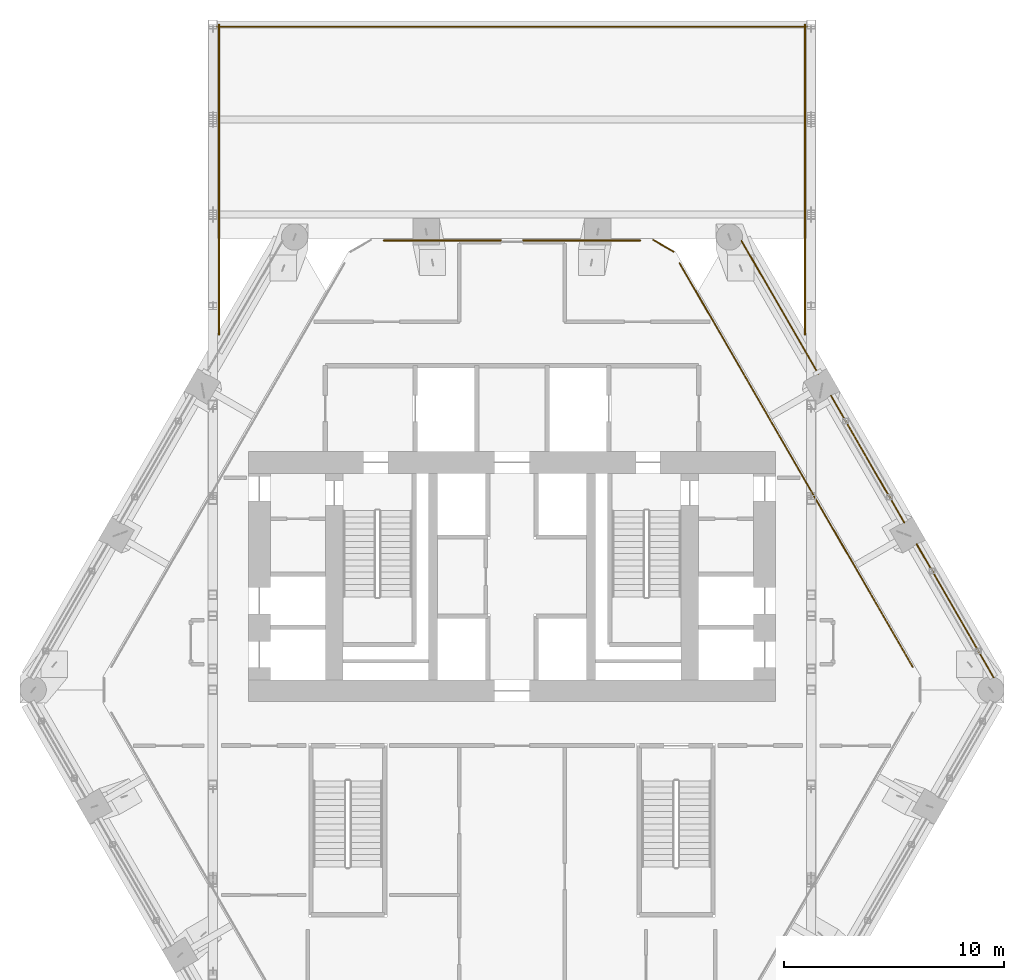
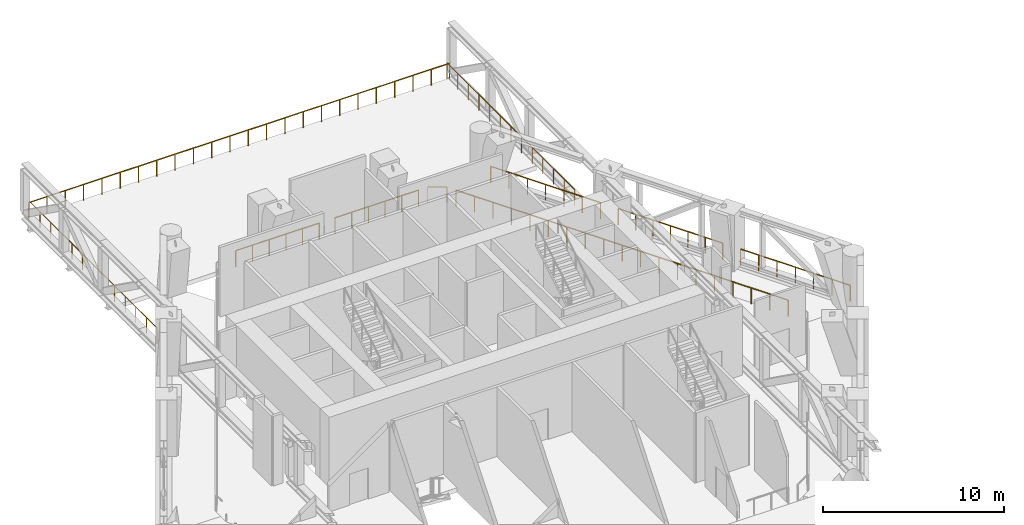
# One storey, part 22 of 22: 10 railings.
"""IFC4 building model written with IfcOpenShell, lengths in metres."""

from ifc_helpers import new_model, si_unit, direction, frame, origin, origin_2d, place, context, subcontext, project, spatial, circle, extrude, material, type_object, element, save


model = new_model("IFC4")

# Units and contexts
model_context = context("Model", 3, precision=1e-05, world=origin(), true_north=direction((0.0, 1.0)))
body_context = subcontext(model_context, "Body", "Model", "MODEL_VIEW")
ifc_project = project(units=[si_unit("LENGTHUNIT", "METRE"), si_unit("AREAUNIT", "SQUARE_METRE"), si_unit("VOLUMEUNIT", "CUBIC_METRE"), si_unit("PLANEANGLEUNIT", "RADIAN"), si_unit("MASSUNIT", "GRAM", prefix="KILO")], contexts=[model_context])

# Site, building, storey
site_placement = place(None, origin())
site = spatial("IfcSite", under=ifc_project, at=site_placement, CompositionType="ELEMENT")
building_placement = place(site_placement, origin())
building = spatial("IfcBuilding", under=site, at=building_placement, Name="Ostrander Bayou Hotel Tower", CompositionType="ELEMENT")
storey_placement = place(building_placement, frame((0.0, 0.0, 146.0)))
storey = spatial("IfcBuildingStorey", under=building, at=storey_placement, Name="L36", CompositionType="ELEMENT", Elevation=146.0)

# Railings
ifc_material = material(Name="Stainless steel and clear glass", Category="steel")
railing_type = type_object("IfcRailingType", Name="GR1 guard 1100 mm", PredefinedType="GUARDRAIL", material=ifc_material)
railing_1_placement = place(storey_placement, frame((21.927734375, -0.593017578125, 0.0)))
element("IfcRailing", 1, at=railing_1_placement, inside=storey, type_object=railing_type, Name="GR1 L36 NE-1 open band guard", PredefinedType="GUARDRAIL", context=body_context, shape_type="SweptSolid", body=[
    extrude(circle(Radius=0.02490234375, at=origin_2d()), frame((0.0, 0.0, 1.0751953125), z_axis=(-0.499991127072, 0.866030526511, 0.0), x_axis=(-0.866030526511, -0.499991127072, 0.0)), (0.0, 0.0, 1.0), 7.000732421875),
    extrude(circle(Radius=0.02001953125, at=origin_2d()), origin(), (0.0, 0.0, 1.0), 1.050048828125),
    extrude(circle(Radius=0.02001953125, at=origin_2d()), frame((-0.58349609375, 1.010498046875, 0.0)), (0.0, 0.0, 1.0), 1.050048828125),
    extrude(circle(Radius=0.02001953125, at=origin_2d()), frame((-1.166748046875, 2.02099609375, 0.0)), (0.0, 0.0, 1.0), 1.050048828125),
    extrude(circle(Radius=0.02001953125, at=origin_2d()), frame((-1.75, 3.03125, 0.0)), (0.0, 0.0, 1.0), 1.050048828125),
    extrude(circle(Radius=0.02001953125, at=origin_2d()), frame((-2.33349609375, 4.041748046875, 0.0)), (0.0, 0.0, 1.0), 1.050048828125),
    extrude(circle(Radius=0.02001953125, at=origin_2d()), frame((-2.9169921875, 5.05224609375, 0.0)), (0.0, 0.0, 1.0), 1.050048828125),
    extrude(circle(Radius=0.02001953125, at=origin_2d()), frame((-3.500244140625, 6.062744140625, 0.0)), (0.0, 0.0, 1.0), 1.050048828125),
])
railing_2_placement = place(storey_placement, frame((17.857421875, 6.45703125, 0.0)))
element("IfcRailing", 2, at=railing_2_placement, inside=storey, type_object=railing_type, Name="GR1 L36 NE-2 open band guard", PredefinedType="GUARDRAIL", context=body_context, shape_type="SweptSolid", body=[
    extrude(circle(Radius=0.02490234375, at=origin_2d()), frame((0.0, 0.0, 1.0751953125), z_axis=(-0.499983182885, 0.866035112932, 0.0), x_axis=(-0.866035112932, -0.499983182885, 0.0)), (0.0, 0.0, 1.0), 6.673583984375),
    extrude(circle(Radius=0.02001953125, at=origin_2d()), origin(), (0.0, 0.0, 1.0), 1.050048828125),
    extrude(circle(Radius=0.02001953125, at=origin_2d()), frame((-0.55615234375, 0.96337890625, 0.0)), (0.0, 0.0, 1.0), 1.050048828125),
    extrude(circle(Radius=0.02001953125, at=origin_2d()), frame((-1.1123046875, 1.926513671875, 0.0)), (0.0, 0.0, 1.0), 1.050048828125),
    extrude(circle(Radius=0.02001953125, at=origin_2d()), frame((-1.66845703125, 2.8896484375, 0.0)), (0.0, 0.0, 1.0), 1.050048828125),
    extrude(circle(Radius=0.02001953125, at=origin_2d()), frame((-2.224365234375, 3.85302734375, 0.0)), (0.0, 0.0, 1.0), 1.050048828125),
    extrude(circle(Radius=0.02001953125, at=origin_2d()), frame((-2.780517578125, 4.81640625, 0.0)), (0.0, 0.0, 1.0), 1.050048828125),
    extrude(circle(Radius=0.02001953125, at=origin_2d()), frame((-3.336669921875, 5.779541015625, 0.0)), (0.0, 0.0, 1.0), 1.050048828125),
])
railing_3_placement = place(storey_placement, frame((13.95068359375, 13.2236328125, 0.0)))
element("IfcRailing", 3, at=railing_3_placement, inside=storey, type_object=railing_type, Name="GR1 L36 NE-3 open band guard", PredefinedType="GUARDRAIL", context=body_context, shape_type="SweptSolid", body=[
    extrude(circle(Radius=0.02490234375, at=origin_2d()), frame((0.0, 0.0, 1.0751953125), z_axis=(-0.499991127072, 0.866030526511, 0.0), x_axis=(-0.866030526511, -0.499991127072, 0.0)), (0.0, 0.0, 1.0), 7.000732421875),
    extrude(circle(Radius=0.02001953125, at=origin_2d()), origin(), (0.0, 0.0, 1.0), 1.050048828125),
    extrude(circle(Radius=0.02001953125, at=origin_2d()), frame((-0.58349609375, 1.010498046875, 0.0)), (0.0, 0.0, 1.0), 1.050048828125),
    extrude(circle(Radius=0.02001953125, at=origin_2d()), frame((-1.166748046875, 2.02099609375, 0.0)), (0.0, 0.0, 1.0), 1.050048828125),
    extrude(circle(Radius=0.02001953125, at=origin_2d()), frame((-1.75, 3.03125, 0.0)), (0.0, 0.0, 1.0), 1.050048828125),
    extrude(circle(Radius=0.02001953125, at=origin_2d()), frame((-2.33349609375, 4.041748046875, 0.0)), (0.0, 0.0, 1.0), 1.050048828125),
    extrude(circle(Radius=0.02001953125, at=origin_2d()), frame((-2.9169921875, 5.05224609375, 0.0)), (0.0, 0.0, 1.0), 1.050048828125),
    extrude(circle(Radius=0.02001953125, at=origin_2d()), frame((-3.500244140625, 6.062744140625, 0.0)), (0.0, 0.0, 1.0), 1.050048828125),
])
railing_4_placement = place(storey_placement, frame((7.358154296875, 18.79248046875, 0.0)))
element("IfcRailing", 4, at=railing_4_placement, inside=storey, type_object=railing_type, Name="GR1 L36 corner guard 6", PredefinedType="GUARDRAIL", context=body_context, shape_type="SweptSolid", body=[
    extrude(circle(Radius=0.02490234375, at=origin_2d()), frame((0.0, 0.0, 1.0751953125), z_axis=(-0.866048165231, 0.499960573946, 0.0), x_axis=(-0.499960573946, -0.866048165231, 0.0)), (0.0, 0.0, 1.0), 1.06494140625),
    extrude(circle(Radius=0.02001953125, at=origin_2d()), origin(), (0.0, 0.0, 1.0), 1.050048828125),
    extrude(circle(Radius=0.02001953125, at=origin_2d()), frame((-0.92236328125, 0.532470703125, 0.0)), (0.0, 0.0, 1.0), 1.050048828125),
])
railing_5_placement = place(storey_placement, frame((7.635986328125, 18.26123046875, 0.0)))
element("IfcRailing", 5, at=railing_5_placement, inside=storey, type_object=railing_type, Name="GR1 L36 edge guard 2", PredefinedType="GUARDRAIL", context=body_context, shape_type="SweptSolid", body=[
    extrude(circle(Radius=0.02490234375, at=origin_2d()), frame((0.0, 0.0, 1.0751953125), z_axis=(0.499995637572, -0.866027922419, 0.0), x_axis=(0.866027922419, 0.499995637572, 0.0)), (0.0, 0.0, 1.0), 21.222412109375),
    extrude(circle(Radius=0.02001953125, at=origin_2d()), origin(), (0.0, 0.0, 1.0), 1.050048828125),
    extrude(circle(Radius=0.02001953125, at=origin_2d()), frame((0.589599609375, -1.02099609375, 0.0)), (0.0, 0.0, 1.0), 1.050048828125),
    extrude(circle(Radius=0.02001953125, at=origin_2d()), frame((1.178955078125, -2.042236328125, 0.0)), (0.0, 0.0, 1.0), 1.050048828125),
    extrude(circle(Radius=0.02001953125, at=origin_2d()), frame((1.7685546875, -3.063232421875, 0.0)), (0.0, 0.0, 1.0), 1.050048828125),
    extrude(circle(Radius=0.02001953125, at=origin_2d()), frame((2.35791015625, -4.084228515625, 0.0)), (0.0, 0.0, 1.0), 1.050048828125),
    extrude(circle(Radius=0.02001953125, at=origin_2d()), frame((2.947509765625, -5.105224609375, 0.0)), (0.0, 0.0, 1.0), 1.050048828125),
    extrude(circle(Radius=0.02001953125, at=origin_2d()), frame((3.537109375, -6.12646484375, 0.0)), (0.0, 0.0, 1.0), 1.050048828125),
    extrude(circle(Radius=0.02001953125, at=origin_2d()), frame((4.12646484375, -7.1474609375, 0.0)), (0.0, 0.0, 1.0), 1.050048828125),
    extrude(circle(Radius=0.02001953125, at=origin_2d()), frame((4.716064453125, -8.16845703125, 0.0)), (0.0, 0.0, 1.0), 1.050048828125),
    extrude(circle(Radius=0.02001953125, at=origin_2d()), frame((5.3056640625, -9.189453125, 0.0)), (0.0, 0.0, 1.0), 1.050048828125),
    extrude(circle(Radius=0.02001953125, at=origin_2d()), frame((5.89501953125, -10.210693359375, 0.0)), (0.0, 0.0, 1.0), 1.050048828125),
    extrude(circle(Radius=0.02001953125, at=origin_2d()), frame((6.484619140625, -11.231689453125, 0.0)), (0.0, 0.0, 1.0), 1.050048828125),
    extrude(circle(Radius=0.02001953125, at=origin_2d()), frame((7.073974609375, -12.252685546875, 0.0)), (0.0, 0.0, 1.0), 1.050048828125),
    extrude(circle(Radius=0.02001953125, at=origin_2d()), frame((7.66357421875, -13.27392578125, 0.0)), (0.0, 0.0, 1.0), 1.050048828125),
    extrude(circle(Radius=0.02001953125, at=origin_2d()), frame((8.253173828125, -14.294921875, 0.0)), (0.0, 0.0, 1.0), 1.050048828125),
    extrude(circle(Radius=0.02001953125, at=origin_2d()), frame((8.842529296875, -15.31591796875, 0.0)), (0.0, 0.0, 1.0), 1.050048828125),
    extrude(circle(Radius=0.02001953125, at=origin_2d()), frame((9.43212890625, -16.3369140625, 0.0)), (0.0, 0.0, 1.0), 1.050048828125),
    extrude(circle(Radius=0.02001953125, at=origin_2d()), frame((10.021484375, -17.358154296875, 0.0)), (0.0, 0.0, 1.0), 1.050048828125),
    extrude(circle(Radius=0.02001953125, at=origin_2d()), frame((10.611083984375, -18.379150390625, 0.0)), (0.0, 0.0, 1.0), 1.050048828125),
])
railing_6_placement = place(storey_placement, frame((-13.34228515625, 29.13720703125, 0.0)))
element("IfcRailing", 6, at=railing_6_placement, inside=storey, type_object=railing_type, Name="GR1 bar roof guard SB3 4", PredefinedType="GUARDRAIL", context=body_context, shape_type="SweptSolid", body=[
    extrude(circle(Radius=0.02490234375, at=origin_2d()), frame((0.0, 0.0, 1.0751953125), z_axis=(0.0, -1.0, 0.0), x_axis=(1.0, 0.0, 0.0)), (0.0, 0.0, 1.0), 14.1328125),
    extrude(circle(Radius=0.02001953125, at=origin_2d()), origin(), (0.0, 0.0, 1.0), 1.050048828125),
    extrude(circle(Radius=0.02001953125, at=origin_2d()), frame((0.0, -1.177734375, 0.0)), (0.0, 0.0, 1.0), 1.050048828125),
    extrude(circle(Radius=0.02001953125, at=origin_2d()), frame((0.0, -2.35546875, 0.0)), (0.0, 0.0, 1.0), 1.050048828125),
    extrude(circle(Radius=0.02001953125, at=origin_2d()), frame((0.0, -3.533203125, 0.0)), (0.0, 0.0, 1.0), 1.050048828125),
    extrude(circle(Radius=0.02001953125, at=origin_2d()), frame((0.0, -4.7109375, 0.0)), (0.0, 0.0, 1.0), 1.050048828125),
    extrude(circle(Radius=0.02001953125, at=origin_2d()), frame((0.0, -5.888671875, 0.0)), (0.0, 0.0, 1.0), 1.050048828125),
    extrude(circle(Radius=0.02001953125, at=origin_2d()), frame((0.0, -7.06640625, 0.0)), (0.0, 0.0, 1.0), 1.050048828125),
    extrude(circle(Radius=0.02001953125, at=origin_2d()), frame((0.0, -8.244140625, 0.0)), (0.0, 0.0, 1.0), 1.050048828125),
    extrude(circle(Radius=0.02001953125, at=origin_2d()), frame((0.0, -9.421875, 0.0)), (0.0, 0.0, 1.0), 1.050048828125),
    extrude(circle(Radius=0.02001953125, at=origin_2d()), frame((0.0, -10.599609375, 0.0)), (0.0, 0.0, 1.0), 1.050048828125),
    extrude(circle(Radius=0.02001953125, at=origin_2d()), frame((0.0, -11.77734375, 0.0)), (0.0, 0.0, 1.0), 1.050048828125),
    extrude(circle(Radius=0.02001953125, at=origin_2d()), frame((0.0, -12.955078125, 0.0)), (0.0, 0.0, 1.0), 1.050048828125),
    extrude(circle(Radius=0.02001953125, at=origin_2d()), frame((0.0, -14.1328125, 0.0)), (0.0, 0.0, 1.0), 1.050048828125),
])
railing_7_placement = place(storey_placement, frame((13.34228515625, 15.00439453125, 0.0)))
element("IfcRailing", 7, at=railing_7_placement, inside=storey, type_object=railing_type, Name="GR1 bar roof guard SB3 5", PredefinedType="GUARDRAIL", context=body_context, shape_type="SweptSolid", body=[
    extrude(circle(Radius=0.02490234375, at=origin_2d()), frame((0.0, 0.0, 1.0751953125), z_axis=(0.0, 1.0, 0.0), x_axis=(-1.0, 0.0, 0.0)), (0.0, 0.0, 1.0), 14.1328125),
    extrude(circle(Radius=0.02001953125, at=origin_2d()), origin(), (0.0, 0.0, 1.0), 1.050048828125),
    extrude(circle(Radius=0.02001953125, at=origin_2d()), frame((0.0, 1.177734375, 0.0)), (0.0, 0.0, 1.0), 1.050048828125),
    extrude(circle(Radius=0.02001953125, at=origin_2d()), frame((0.0, 2.35546875, 0.0)), (0.0, 0.0, 1.0), 1.050048828125),
    extrude(circle(Radius=0.02001953125, at=origin_2d()), frame((0.0, 3.533203125, 0.0)), (0.0, 0.0, 1.0), 1.050048828125),
    extrude(circle(Radius=0.02001953125, at=origin_2d()), frame((0.0, 4.7109375, 0.0)), (0.0, 0.0, 1.0), 1.050048828125),
    extrude(circle(Radius=0.02001953125, at=origin_2d()), frame((0.0, 5.888671875, 0.0)), (0.0, 0.0, 1.0), 1.050048828125),
    extrude(circle(Radius=0.02001953125, at=origin_2d()), frame((0.0, 7.06640625, 0.0)), (0.0, 0.0, 1.0), 1.050048828125),
    extrude(circle(Radius=0.02001953125, at=origin_2d()), frame((0.0, 8.244140625, 0.0)), (0.0, 0.0, 1.0), 1.050048828125),
    extrude(circle(Radius=0.02001953125, at=origin_2d()), frame((0.0, 9.421875, 0.0)), (0.0, 0.0, 1.0), 1.050048828125),
    extrude(circle(Radius=0.02001953125, at=origin_2d()), frame((0.0, 10.599609375, 0.0)), (0.0, 0.0, 1.0), 1.050048828125),
    extrude(circle(Radius=0.02001953125, at=origin_2d()), frame((0.0, 11.77734375, 0.0)), (0.0, 0.0, 1.0), 1.050048828125),
    extrude(circle(Radius=0.02001953125, at=origin_2d()), frame((0.0, 12.955078125, 0.0)), (0.0, 0.0, 1.0), 1.050048828125),
    extrude(circle(Radius=0.02001953125, at=origin_2d()), frame((0.0, 14.1328125, 0.0)), (0.0, 0.0, 1.0), 1.050048828125),
])
railing_8_placement = place(storey_placement, frame((13.442138671875, 29.037109375, 0.0)))
element("IfcRailing", 8, at=railing_8_placement, inside=storey, type_object=railing_type, Name="GR1 bar roof guard SB3 6", PredefinedType="GUARDRAIL", context=body_context, shape_type="SweptSolid", body=[
    extrude(circle(Radius=0.02490234375, at=origin_2d()), frame((0.0, 0.0, 1.0751953125), z_axis=(-1.0, 0.0, 0.0), x_axis=(0.0, -1.0, 0.0)), (0.0, 0.0, 1.0), 26.88427734375),
    extrude(circle(Radius=0.02001953125, at=origin_2d()), origin(), (0.0, 0.0, 1.0), 1.050048828125),
    extrude(circle(Radius=0.02001953125, at=origin_2d()), frame((-1.1689453125, 0.0, 0.0)), (0.0, 0.0, 1.0), 1.050048828125),
    extrude(circle(Radius=0.02001953125, at=origin_2d()), frame((-2.337646484375, 0.0, 0.0)), (0.0, 0.0, 1.0), 1.050048828125),
    extrude(circle(Radius=0.02001953125, at=origin_2d()), frame((-3.506591796875, 0.0, 0.0)), (0.0, 0.0, 1.0), 1.050048828125),
    extrude(circle(Radius=0.02001953125, at=origin_2d()), frame((-4.675537109375, 0.0, 0.0)), (0.0, 0.0, 1.0), 1.050048828125),
    extrude(circle(Radius=0.02001953125, at=origin_2d()), frame((-5.844482421875, 0.0, 0.0)), (0.0, 0.0, 1.0), 1.050048828125),
    extrude(circle(Radius=0.02001953125, at=origin_2d()), frame((-7.01318359375, 0.0, 0.0)), (0.0, 0.0, 1.0), 1.050048828125),
    extrude(circle(Radius=0.02001953125, at=origin_2d()), frame((-8.18212890625, 0.0, 0.0)), (0.0, 0.0, 1.0), 1.050048828125),
    extrude(circle(Radius=0.02001953125, at=origin_2d()), frame((-9.35107421875, 0.0, 0.0)), (0.0, 0.0, 1.0), 1.050048828125),
    extrude(circle(Radius=0.02001953125, at=origin_2d()), frame((-10.52001953125, 0.0, 0.0)), (0.0, 0.0, 1.0), 1.050048828125),
    extrude(circle(Radius=0.02001953125, at=origin_2d()), frame((-11.688720703125, 0.0, 0.0)), (0.0, 0.0, 1.0), 1.050048828125),
    extrude(circle(Radius=0.02001953125, at=origin_2d()), frame((-12.857666015625, 0.0, 0.0)), (0.0, 0.0, 1.0), 1.050048828125),
    extrude(circle(Radius=0.02001953125, at=origin_2d()), frame((-14.026611328125, 0.0, 0.0)), (0.0, 0.0, 1.0), 1.050048828125),
    extrude(circle(Radius=0.02001953125, at=origin_2d()), frame((-15.195556640625, 0.0, 0.0)), (0.0, 0.0, 1.0), 1.050048828125),
    extrude(circle(Radius=0.02001953125, at=origin_2d()), frame((-16.3642578125, 0.0, 0.0)), (0.0, 0.0, 1.0), 1.050048828125),
    extrude(circle(Radius=0.02001953125, at=origin_2d()), frame((-17.533203125, 0.0, 0.0)), (0.0, 0.0, 1.0), 1.050048828125),
    extrude(circle(Radius=0.02001953125, at=origin_2d()), frame((-18.7021484375, 0.0, 0.0)), (0.0, 0.0, 1.0), 1.050048828125),
    extrude(circle(Radius=0.02001953125, at=origin_2d()), frame((-19.87109375, 0.0, 0.0)), (0.0, 0.0, 1.0), 1.050048828125),
    extrude(circle(Radius=0.02001953125, at=origin_2d()), frame((-21.039794921875, 0.0, 0.0)), (0.0, 0.0, 1.0), 1.050048828125),
    extrude(circle(Radius=0.02001953125, at=origin_2d()), frame((-22.208740234375, 0.0, 0.0)), (0.0, 0.0, 1.0), 1.050048828125),
    extrude(circle(Radius=0.02001953125, at=origin_2d()), frame((-23.377685546875, 0.0, 0.0)), (0.0, 0.0, 1.0), 1.050048828125),
    extrude(circle(Radius=0.02001953125, at=origin_2d()), frame((-24.546630859375, 0.0, 0.0)), (0.0, 0.0, 1.0), 1.050048828125),
    extrude(circle(Radius=0.02001953125, at=origin_2d()), frame((-25.71533203125, 0.0, 0.0)), (0.0, 0.0, 1.0), 1.050048828125),
    extrude(circle(Radius=0.02001953125, at=origin_2d()), frame((-26.88427734375, 0.0, 0.0)), (0.0, 0.0, 1.0), 1.050048828125),
])
for number, where, name in (
    (9, (-5.8369140625, 19.300048828125, 0.0), "GR1 L36 edge guard 1"),
    (10, (0.5, 19.300048828125, 0.0), "GR1 L36 edge guard 1"),
):
    element("IfcRailing", number, at=place(storey_placement, frame(where)), inside=storey, type_object=railing_type, Name=name, PredefinedType="GUARDRAIL", context=body_context, shape_type="SweptSolid", body=[
        extrude(circle(Radius=0.02490234375, at=origin_2d()), frame((0.0, 0.0, 1.0751953125), z_axis=(1.0, 0.0, 0.0), x_axis=(0.0, 1.0, 0.0)), (0.0, 0.0, 1.0), 5.3369140625),
        extrude(circle(Radius=0.02001953125, at=origin_2d()), origin(), (0.0, 0.0, 1.0), 1.050048828125),
        extrude(circle(Radius=0.02001953125, at=origin_2d()), frame((1.0673828125, 0.0, 0.0)), (0.0, 0.0, 1.0), 1.050048828125),
        extrude(circle(Radius=0.02001953125, at=origin_2d()), frame((2.134765625, 0.0, 0.0)), (0.0, 0.0, 1.0), 1.050048828125),
        extrude(circle(Radius=0.02001953125, at=origin_2d()), frame((3.2021484375, 0.0, 0.0)), (0.0, 0.0, 1.0), 1.050048828125),
        extrude(circle(Radius=0.02001953125, at=origin_2d()), frame((4.26953125, 0.0, 0.0)), (0.0, 0.0, 1.0), 1.050048828125),
        extrude(circle(Radius=0.02001953125, at=origin_2d()), frame((5.3369140625, 0.0, 0.0)), (0.0, 0.0, 1.0), 1.050048828125),
    ])

save(model, "model.ifc")
